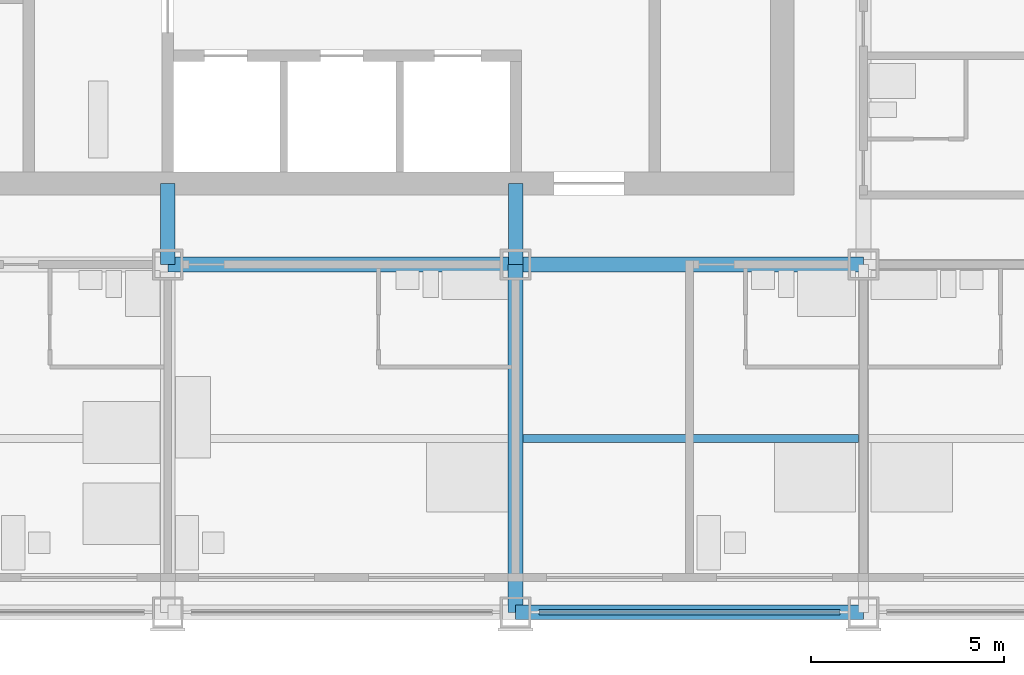
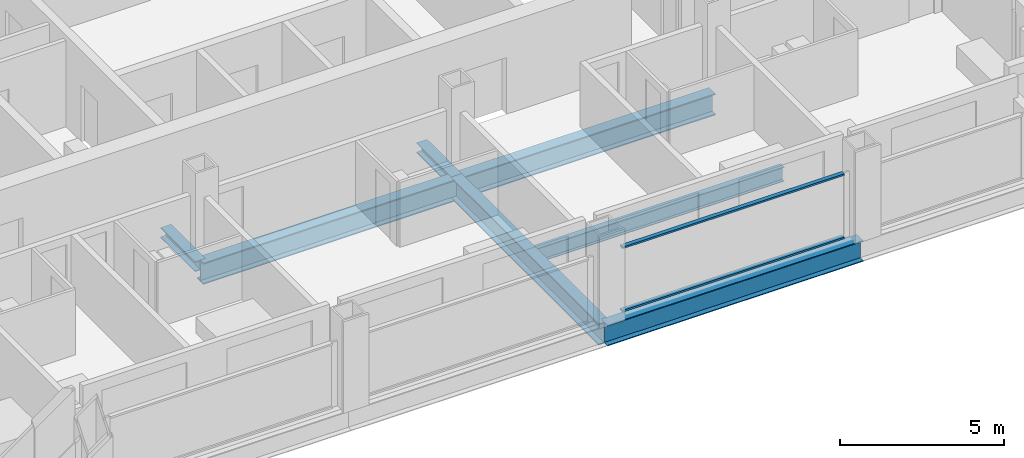
# One storey, part 3 of 17: 5 beams, 4 members, 1 element without a shape of its own.
"""IFC4 building model written with IfcOpenShell, lengths in metres."""

from ifc_helpers import new_model, si_unit, direction, frame, origin, origin_2d, place, context, subcontext, project, spatial, rectangle, i_section, extrude, material, material_profile, profile_set, type_object, element, aggregate, save


model = new_model("IFC4")

# Units and contexts
model_context = context("Model", 3, precision=1e-05, world=origin(), true_north=direction((0.0, 1.0)))
body_context = subcontext(model_context, "Body", "Model", "MODEL_VIEW")
ifc_project = project(units=[si_unit("LENGTHUNIT", "METRE"), si_unit("AREAUNIT", "SQUARE_METRE"), si_unit("VOLUMEUNIT", "CUBIC_METRE"), si_unit("PLANEANGLEUNIT", "RADIAN"), si_unit("MASSUNIT", "GRAM", prefix="KILO")], contexts=[model_context])

# Site, building, storey
site_placement = place(None, origin())
site = spatial("IfcSite", under=ifc_project, at=site_placement, CompositionType="ELEMENT")
building_placement = place(site_placement, origin())
building = spatial("IfcBuilding", under=site, at=building_placement, Name="Loomwork Tower", CompositionType="ELEMENT")
storey_placement = place(building_placement, frame((0.0, 0.0, 138.39990234375)))
storey = spatial("IfcBuildingStorey", under=building, at=storey_placement, Name="L37", CompositionType="ELEMENT", Elevation=138.39990234375)

# Beams
ifc_material_1 = material(Name="Steel ASTM A992", Category="steel")
ifc_material_profile_1 = material_profile(ifc_material_1, i_section(OverallWidth=0.383544921875, OverallDepth=0.794921875, WebThickness=0.02099609375, FlangeThickness=0.0380859375, at=origin_2d()), Name="W30x235")
ifc_profile_set_1 = profile_set([ifc_material_profile_1], Name="Steel ASTM A992")
beam_type_1 = type_object("IfcBeamType", Name="CORE FLANK GIRDER W30x235", PredefinedType="BEAM", material=ifc_profile_set_1)
for number, where, z_axis, x_axis, name in (
    (1, (18.0, 9.0, -0.597412109375), (1.0, 0.0, 0.0), (0.0, 1.0, 0.0), "Core Flank Girder E/4-E/5 L37"),
    (2, (27.0, 9.0, -0.597412109375), (1.0, 0.0, 0.0), (0.0, 1.0, 0.0), "Core Flank Girder E/5-E/6 L37"),
    (3, (27.0, 0.0, -0.597412109375), (0.0, 1.0, 0.0), (-1.0, 0.0, 0.0), "Core Flank Girder D/5-E/5 L37"),
):
    element("IfcBeam", number, at=place(storey_placement, frame(where, z_axis=z_axis, x_axis=x_axis)), inside=storey, type_object=beam_type_1, Name=name, PredefinedType="BEAM", context=body_context, shape_type="SweptSolid", body=[
        extrude(i_section(OverallWidth=0.383544921875, OverallDepth=0.794921875, WebThickness=0.02099609375, FlangeThickness=0.0380859375, at=origin_2d()), origin(), (0.0, 0.0, 1.0), 9.0),
    ])

# Members
ifc_material_2 = material(Name="Steel ASTM A992", Category="steel")
ifc_material_profile_2 = material_profile(ifc_material_2, i_section(OverallWidth=0.373291015625, OverallDepth=0.373291015625, WebThickness=0.016357421875, FlangeThickness=0.026123046875, at=origin_2d()), Name="W14x132")
ifc_profile_set_2 = profile_set([ifc_material_profile_2], Name="Steel ASTM A992")
member_type_1 = type_object("IfcMemberType", Name="CORE LINK STRUT W14x132", PredefinedType="STRUT", material=ifc_profile_set_2)
for number, where, z_axis, x_axis, name in (
    (4, (27.0, 9.0, -0.386474609375), (0.0, 1.0, 0.0), (-1.0, 0.0, 0.0), "Core link strut E/5-27.000,11.100 L37"),
    (5, (18.0, 9.0, -0.386474609375), (0.0, 1.0, 0.0), (-1.0, 0.0, 0.0), "Core link strut E/4-18.000,11.100 L37"),
):
    element("IfcMember", number, at=place(storey_placement, frame(where, z_axis=z_axis, x_axis=x_axis)), inside=storey, type_object=member_type_1, Name=name, PredefinedType="STRUT", context=body_context, shape_type="SweptSolid", body=[
        extrude(i_section(OverallWidth=0.373291015625, OverallDepth=0.373291015625, WebThickness=0.016357421875, FlangeThickness=0.026123046875, at=origin_2d()), origin(), (0.0, 0.0, 1.0), 2.10009765625),
    ])

# Beam
ifc_material_3 = material(Name="Steel ASTM A992", Category="steel")
ifc_material_profile_3 = material_profile(ifc_material_3, i_section(OverallWidth=0.2109375, OverallDepth=0.53857421875, WebThickness=0.011474609375, FlangeThickness=0.018798828125, at=origin_2d()), Name="W21x73")
ifc_profile_set_3 = profile_set([ifc_material_profile_3], Name="Steel ASTM A992")
beam_type_2 = type_object("IfcBeamType", Name="FLOOR JOIST W21x73", PredefinedType="JOIST", material=ifc_profile_set_3)
beam_1_placement = place(storey_placement, frame((27.19091796875, 4.5, -0.46923828125), z_axis=(1.0, 0.0, 0.0), x_axis=(0.0, 1.0, 0.0)))
element("IfcBeam", 6, at=beam_1_placement, inside=storey, type_object=beam_type_2, Name="Floor Joist 27.000,4.500-36.000,4.500 L37", PredefinedType="JOIST", context=body_context, shape_type="SweptSolid", body=[
    extrude(i_section(OverallWidth=0.2109375, OverallDepth=0.53857421875, WebThickness=0.011474609375, FlangeThickness=0.018798828125, at=origin_2d()), origin(), (0.0, 0.0, 1.0), 8.676025390625),
])

# Curtain wall, members
ifc_material_4 = material(Name="Aluminium curtain wall frame", Category="aluminium")
curtain_wall_type = type_object("IfcCurtainWallType", Name="Outer skin glazing hotel", PredefinedType="NOTDEFINED", material=ifc_material_4)
curtain_wall_placement = place(storey_placement, origin())
curtain_wall = element("IfcCurtainWall", 7, at=curtain_wall_placement, inside=storey, type_object=curtain_wall_type, Name="Outer skin glazing hotel cw/S-27", PredefinedType="NOTDEFINED")
ifc_material_5 = material(Name="Aluminium curtain wall frame", Category="aluminium")
ifc_material_profile_4 = material_profile(ifc_material_5, rectangle(XDim=0.14990234375, YDim=0.06494140625, at=origin_2d()), Name="AL 65x150")
ifc_profile_set_4 = profile_set([ifc_material_profile_4], Name="Aluminium curtain wall frame")
member_type_2 = type_object("IfcMemberType", Name="Outer skin glazing hotel transom", PredefinedType="USERDEFINED", material=ifc_profile_set_4)
member_1_placement = place(storey_placement, frame((27.60009765625, 0.0, 0.03271484375), z_axis=(1.0, 0.0, 0.0), x_axis=(0.0, 1.0, 0.0)))
member_1 = element("IfcMember", 8, at=member_1_placement, type_object=member_type_2, Name="CW1 transom 1.1", ObjectType="TRANSOM", PredefinedType="USERDEFINED", context=body_context, shape_type="SweptSolid", body=[
    extrude(rectangle(XDim=0.14990234375, YDim=0.06494140625, at=origin_2d()), origin(), (0.0, 0.0, 1.0), 7.7998046875),
])
member_2_placement = place(storey_placement, frame((27.60009765625, 0.0, 2.3876953125), z_axis=(1.0, 0.0, 0.0), x_axis=(0.0, 1.0, 0.0)))
member_2 = element("IfcMember", 9, at=member_2_placement, type_object=member_type_2, Name="CW1 transom 1.2", ObjectType="TRANSOM", PredefinedType="USERDEFINED", context=body_context, shape_type="SweptSolid", body=[
    extrude(rectangle(XDim=0.14990234375, YDim=0.06494140625, at=origin_2d()), origin(), (0.0, 0.0, 1.0), 7.7998046875),
])
aggregate(curtain_wall, [member_1, member_2])

# Beam
ifc_material_6 = material(Name="Steel ASTM A992", Category="steel")
ifc_material_profile_5 = material_profile(ifc_material_6, i_section(OverallWidth=0.381103515625, OverallDepth=0.77978515625, WebThickness=0.01806640625, FlangeThickness=0.0302734375, at=origin_2d()), Name="W30x191")
ifc_profile_set_5 = profile_set([ifc_material_profile_5], Name="Steel ASTM A992")
beam_type_3 = type_object("IfcBeamType", Name="SPANDREL GIRDER W30x191", PredefinedType="SPANDREL", material=ifc_profile_set_5)
beam_2_placement = place(storey_placement, frame((27.0, 0.0, -0.58984375), z_axis=(1.0, 0.0, 0.0), x_axis=(0.0, 1.0, 0.0)))
element("IfcBeam", 10, at=beam_2_placement, inside=storey, type_object=beam_type_3, Name="Spandrel Girder D/5-D/6 L37", PredefinedType="SPANDREL", context=body_context, shape_type="SweptSolid", body=[
    extrude(i_section(OverallWidth=0.381103515625, OverallDepth=0.77978515625, WebThickness=0.01806640625, FlangeThickness=0.0302734375, at=origin_2d()), origin(), (0.0, 0.0, 1.0), 9.0),
])

save(model, "model.ifc")
